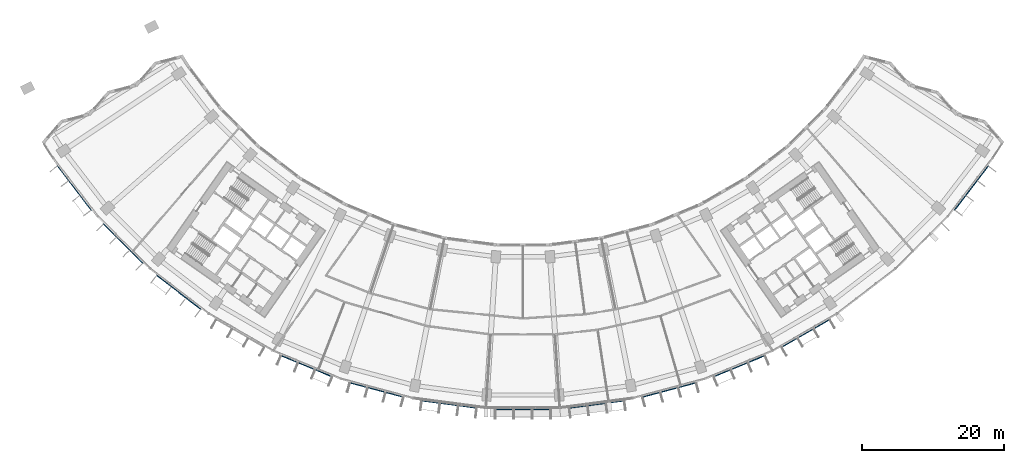
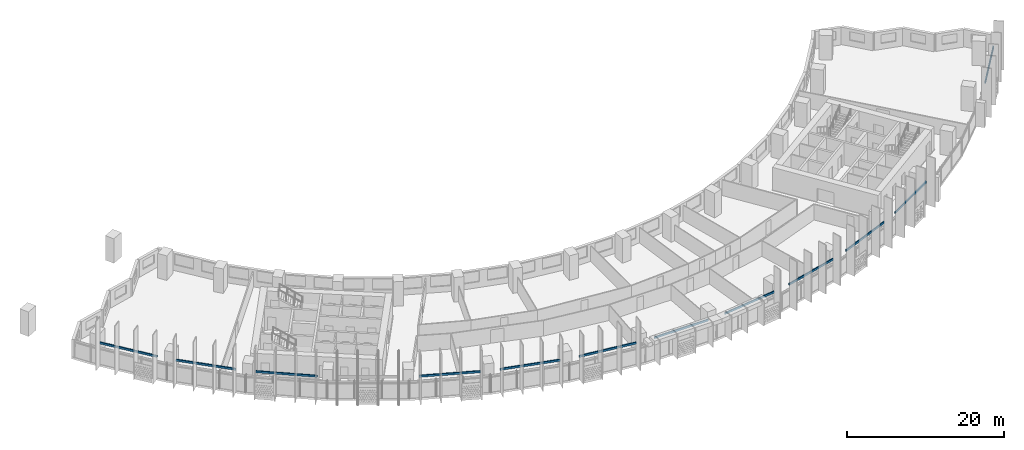
# One storey, part 9 of 32: 12 discrete accessories.
"""IFC4 building model written with IfcOpenShell, lengths in metres."""

from ifc_helpers import new_model, si_unit, direction, frame, origin, origin_2d, place, context, subcontext, project, spatial, rectangle, extrude, material, type_object, element, save


model = new_model("IFC4")

# Units and contexts
model_context = context("Model", 3, precision=1e-05, world=origin(), true_north=direction((0.0, 1.0)))
body_context = subcontext(model_context, "Body", "Model", "MODEL_VIEW")
ifc_project = project(units=[si_unit("LENGTHUNIT", "METRE"), si_unit("AREAUNIT", "SQUARE_METRE"), si_unit("VOLUMEUNIT", "CUBIC_METRE"), si_unit("PLANEANGLEUNIT", "RADIAN"), si_unit("MASSUNIT", "GRAM", prefix="KILO")], contexts=[model_context])

# Site, building, storey
site_placement = place(None, origin())
site = spatial("IfcSite", under=ifc_project, at=site_placement, CompositionType="ELEMENT")
building_placement = place(site_placement, origin())
building = spatial("IfcBuilding", under=site, at=building_placement, Name="Qamariyya Broadcast Tower", CompositionType="ELEMENT")
storey_placement = place(building_placement, frame((0.0, 0.0, 63.300048828125)))
storey = spatial("IfcBuildingStorey", under=building, at=storey_placement, Name="L12", CompositionType="ELEMENT", Elevation=63.300048828125)

# Discrete accessories
ifc_material = material(Name="Stainless steel 316", Category="steel")
discrete_accessory_type = type_object("IfcDiscreteAccessoryType", Name="Slab edge fixing angle, stainless steel", PredefinedType="BRACKET", material=ifc_material)
for number, where, z_axis, x_axis, name in (
    (1, (-63.11474609375, -48.4296875, 3.2998046875), (0.0, 0.0, 1.0), (0.608761429009, -0.793353340291, 0.0), "e-br-L12-01-0"),
    (2, (-56.25341796875, -56.25341796875, 3.2998046875), (0.0, 0.0, 1.0), (0.707106781187, -0.707106781187, 0.0), "e-br-L12-02-0"),
    (3, (-48.4296875, -63.11474609375, 3.2998046875), (0.0, 0.0, 1.0), (0.793353340291, -0.608761429009, 0.0), "e-br-L12-03-0"),
    (4, (-30.444091796875, -73.498779296875, 3.2998046875), (0.0, 0.0, 1.0), (0.923879532511, -0.382683432365, 0.0), "e-br-L12-05-0"),
    (5, (-20.59033203125, -76.84375, 3.2998046875), (0.0, 0.0, 1.0), (0.965925826289, -0.258819045103, 0.0), "e-br-L12-06-0"),
    (6, (-10.384033203125, -78.873779296875, 3.2998046875), (0.0, 0.0, 1.0), (0.991444861374, -0.13052619222, 0.0), "e-br-L12-07-0"),
    (7, (0.0, -79.554443359375, 3.2998046875), (0.0, 0.0, 1.0), (1.0, 0.0, 0.0), "e-br-L12-08-0"),
    (8, (10.384033203125, -78.873779296875, 3.2998046875), (0.0, 0.0, 1.0), (0.991444861374, 0.13052619222, 0.0), "e-br-L12-09-0"),
    (9, (20.59033203125, -76.84375, 3.2998046875), (0.0, 0.0, 1.0), (0.965925826289, 0.258819045103, 0.0), "e-br-L12-10-0"),
    (10, (30.444091796875, -73.498779296875, 3.2998046875), (0.0, 0.0, 1.0), (0.923879532511, 0.382683432365, 0.0), "e-br-L12-11-0"),
    (11, (39.77734375, -68.896240234375, 3.2998046875), (0.0, 0.0, 1.0), (0.866025403784, 0.5, 0.0), "e-br-L12-12-0"),
    (12, (63.11474609375, -48.4296875, 3.2998046875), (0.0, 0.0, 1.0), (0.608761429009, 0.793353340291, 0.0), "e-br-L12-15-0"),
):
    element("IfcDiscreteAccessory", number, at=place(storey_placement, frame(where, z_axis=z_axis, x_axis=x_axis)), inside=storey, type_object=discrete_accessory_type, Name=name, PredefinedType="BRACKET", context=body_context, shape_type="SweptSolid", body=[
        extrude(rectangle(XDim=7.9140625, YDim=0.14990234375, at=origin_2d()), origin(), (0.0, 0.0, 1.0), 0.300048828125),
    ])

save(model, "model.ifc")
